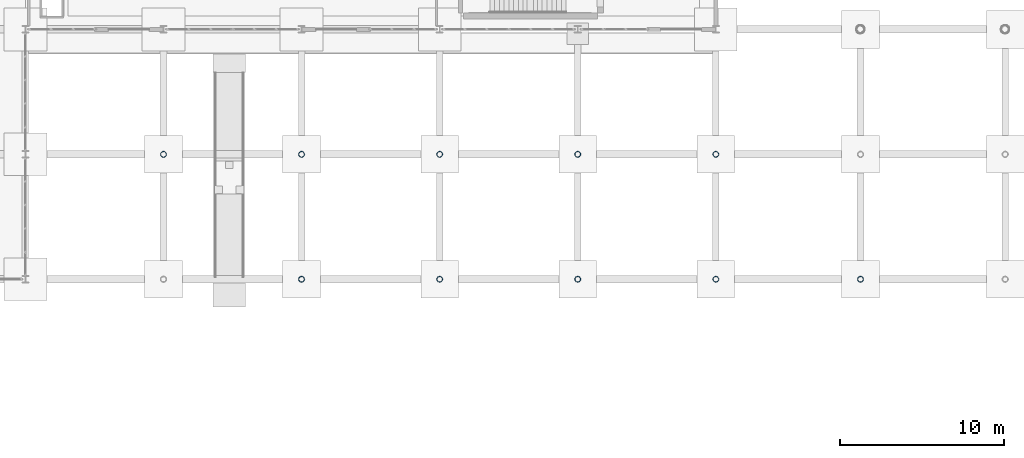
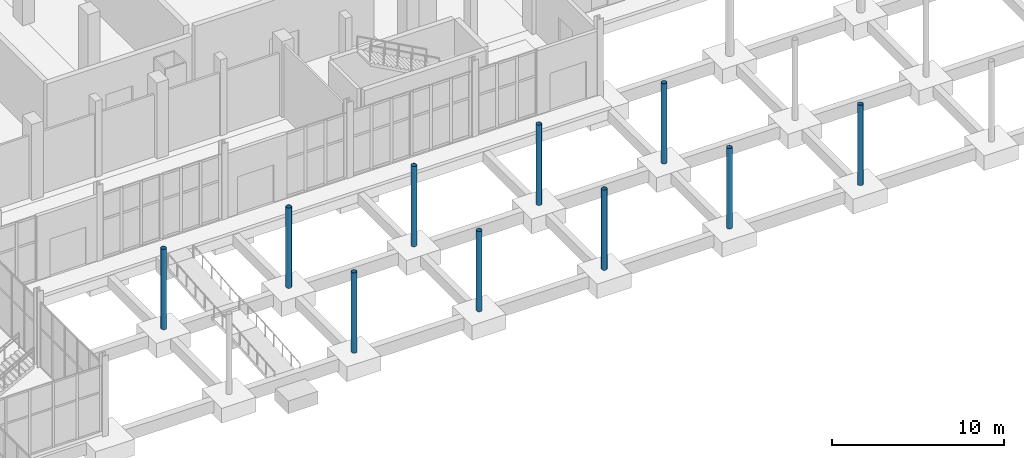
# One storey, part 9 of 95: 10 columns.
"""IFC4 building model written with IfcOpenShell, lengths in metres."""

from ifc_helpers import new_model, si_unit, direction, frame, origin, origin_2d, place, context, subcontext, project, spatial, hollow_circle, extrude, material, material_profile, profile_set, type_object, element, save


model = new_model("IFC4")

# Units and contexts
model_context = context("Model", 3, precision=1e-05, world=origin(), true_north=direction((0.0, 1.0)))
body_context = subcontext(model_context, "Body", "Model", "MODEL_VIEW")
ifc_project = project(units=[si_unit("LENGTHUNIT", "METRE"), si_unit("AREAUNIT", "SQUARE_METRE"), si_unit("VOLUMEUNIT", "CUBIC_METRE"), si_unit("PLANEANGLEUNIT", "RADIAN"), si_unit("MASSUNIT", "GRAM", prefix="KILO")], contexts=[model_context])

# Site, building, storey
site_placement = place(None, origin())
site = spatial("IfcSite", under=ifc_project, at=site_placement, CompositionType="ELEMENT")
building_placement = place(site_placement, origin())
building = spatial("IfcBuilding", under=site, at=building_placement, Name="Shengluoqiao Park Theatre", CompositionType="ELEMENT")
storey_placement = place(building_placement, origin())
storey = spatial("IfcBuildingStorey", under=building, at=storey_placement, Name="L00", CompositionType="ELEMENT", Elevation=0.0)

# Columns
ifc_material = material(Name="Steel Q355", Category="steel")
ifc_material_profile = material_profile(ifc_material, hollow_circle(Radius=0.177978515625, WallThickness=0.013916015625, at=origin_2d()), Name="CHS 356x14")
ifc_profile_set = profile_set([ifc_material_profile], Name="Steel Q355")
column_type = type_object("IfcColumnType", Name="STR-COL-C-CHS356", PredefinedType="COLUMN", material=ifc_profile_set)
for number, where, z_axis, x_axis, name in (
    (1, (52.800048828125, 60.800048828125, -0.300048828125), (0.0, 0.0, 1.0), (1.0, 0.0, 0.0), "L00 Column 0257"),
    (2, (61.199951171875, 53.199951171875, -0.300048828125), (0.0, 0.0, 1.0), (1.0, 0.0, 0.0), "L00 Column 0303"),
    (3, (61.199951171875, 60.800048828125, -0.300048828125), (0.0, 0.0, 1.0), (1.0, 0.0, 0.0), "L00 Column 0305"),
    (4, (69.60009765625, 53.199951171875, -0.300048828125), (0.0, 0.0, 1.0), (1.0, 0.0, 0.0), "L00 Column 0351"),
    (5, (69.60009765625, 60.800048828125, -0.300048828125), (0.0, 0.0, 1.0), (1.0, 0.0, 0.0), "L00 Column 0353"),
    (6, (78.0, 53.199951171875, -0.300048828125), (0.0, 0.0, 1.0), (1.0, 0.0, 0.0), "L00 Column 0383"),
    (7, (78.0, 60.800048828125, -0.300048828125), (0.0, 0.0, 1.0), (1.0, 0.0, 0.0), "L00 Column 0385"),
    (8, (86.39990234375, 53.199951171875, -0.300048828125), (0.0, 0.0, 1.0), (1.0, 0.0, 0.0), "L00 Column 0415"),
    (9, (86.39990234375, 60.800048828125, -0.300048828125), (0.0, 0.0, 1.0), (1.0, 0.0, 0.0), "L00 Column 0417"),
    (10, (95.199951171875, 53.199951171875, -0.300048828125), (0.0, 0.0, 1.0), (1.0, 0.0, 0.0), "L00 Column 0457"),
):
    element("IfcColumn", number, at=place(storey_placement, frame(where, z_axis=z_axis, x_axis=x_axis)), inside=storey, type_object=column_type, Name=name, PredefinedType="COLUMN", context=body_context, shape_type="SweptSolid", body=[
        extrude(hollow_circle(Radius=0.177978515625, WallThickness=0.013916015625, at=origin_2d()), origin(), (0.0, 0.0, 1.0), 5.699951171875),
    ])

save(model, "model.ifc")
